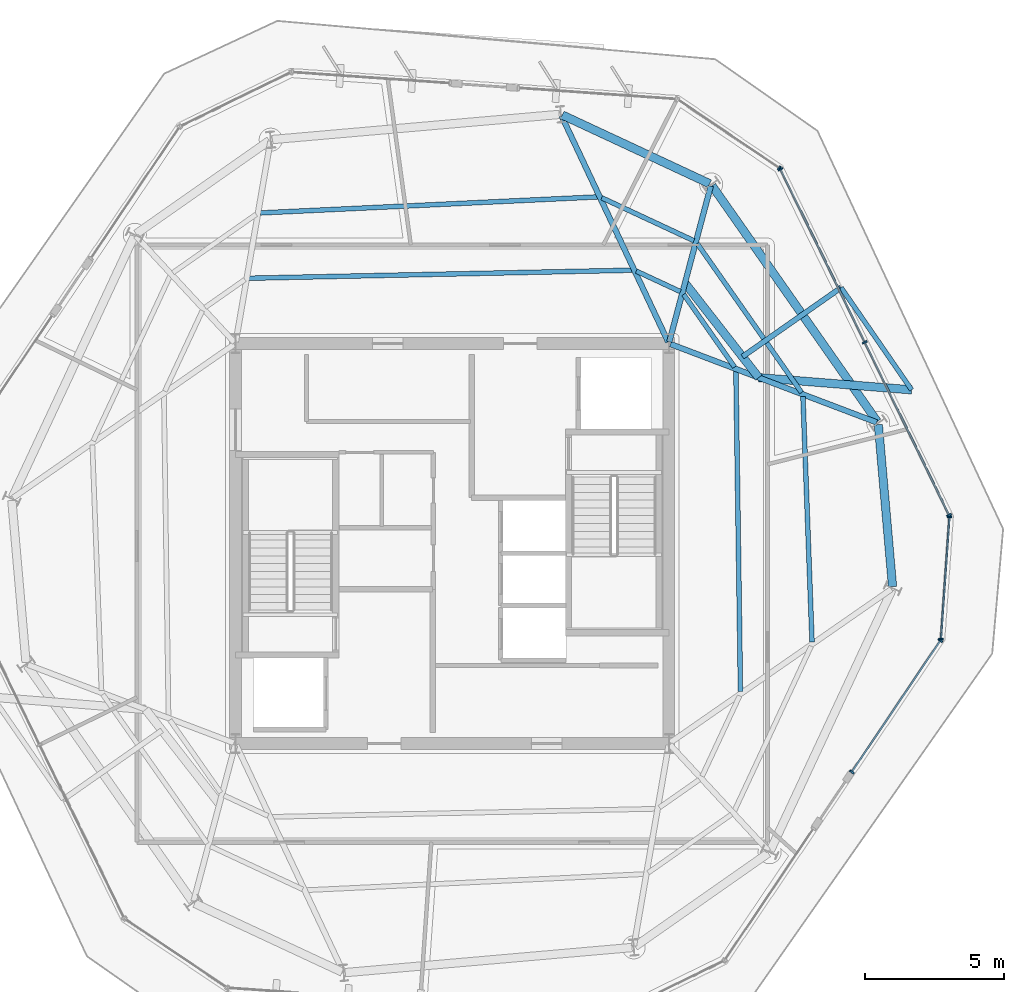
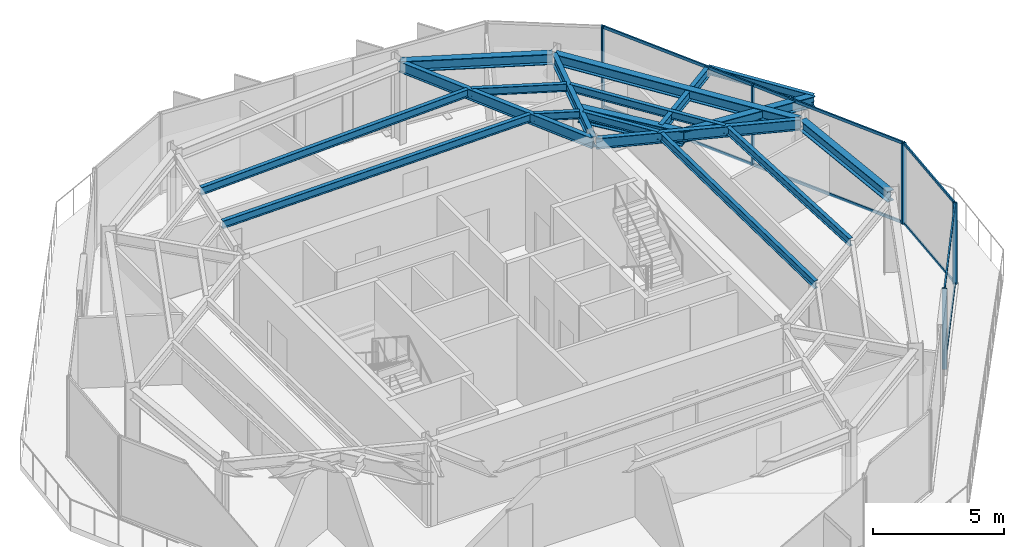
# One storey, part 5 of 12: 18 beams, 16 members, 4 elements without a shape of their own.
"""IFC4 building model written with IfcOpenShell, lengths in metres."""

from ifc_helpers import new_model, si_unit, direction, frame, origin, origin_2d, place, context, subcontext, project, spatial, rectangle, i_section, extrude, material, layer, layer_set, material_profile, profile_set, type_object, element, aggregate, save


model = new_model("IFC4")

# Units and contexts
model_context = context("Model", 3, precision=1e-05, world=origin(), true_north=direction((0.0, 1.0)))
body_context = subcontext(model_context, "Body", "Model", "MODEL_VIEW")
ifc_project = project(units=[si_unit("LENGTHUNIT", "METRE"), si_unit("AREAUNIT", "SQUARE_METRE"), si_unit("VOLUMEUNIT", "CUBIC_METRE"), si_unit("PLANEANGLEUNIT", "RADIAN"), si_unit("MASSUNIT", "GRAM", prefix="KILO")], contexts=[model_context])

# Site, building, storey
site_placement = place(None, origin())
site = spatial("IfcSite", under=ifc_project, at=site_placement, CompositionType="ELEMENT")
building_placement = place(site_placement, origin())
building = spatial("IfcBuilding", under=site, at=building_placement, Name="Kranzbogen Civic Tower", CompositionType="ELEMENT")
storey_placement = place(building_placement, frame((0.0, 0.0, 250.199951171875)))
storey = spatial("IfcBuildingStorey", under=building, at=storey_placement, Name="L60", CompositionType="ELEMENT", Elevation=250.199951171875)

# Beam
ifc_material_1 = material(Name="Steel S355", Category="steel")
ifc_material_profile_1 = material_profile(ifc_material_1, i_section(OverallWidth=0.18994140625, OverallDepth=0.449951171875, WebThickness=0.009521484375, FlangeThickness=0.0146484375, at=origin_2d()), Name="IPE 450")
ifc_profile_set_1 = profile_set([ifc_material_profile_1], Name="Steel S355")
beam_type_1 = type_object("IfcBeamType", Name="Braced Terrace Edge Beam IPE 450", PredefinedType="BEAM", material=ifc_profile_set_1)
beam_1_placement = place(storey_placement, frame((35.447021484375, 31.72412109375, 3.525146484375), z_axis=(0.819112846039, 0.573632413183, 0.0), x_axis=(-0.573632413183, 0.819112846039, 0.0)))
element("IfcBeam", 1, at=beam_1_placement, inside=storey, type_object=beam_type_1, Name="L61 back-spanned terrace beam L61-TB2-2", PredefinedType="BEAM", context=body_context, shape_type="SweptSolid", body=[
    extrude(i_section(OverallWidth=0.18994140625, OverallDepth=0.449951171875, WebThickness=0.009521484375, FlangeThickness=0.0146484375, at=origin_2d()), origin(), (0.0, 0.0, 1.0), 4.335205078125),
])

# Curtain wall, members
ifc_material_2 = material(Name="Pale Anodised Aluminium", Category="aluminium")
ifc_layer_1 = layer(ifc_material_2, 0.219970703125, Name="Pale Anodised Aluminium")
ifc_layer_set_1 = layer_set([ifc_layer_1], Name="Pale Anodised Aluminium")
curtain_wall_type_1 = type_object("IfcCurtainWallType", Name="Chamfer Facet Stick Curtain Wall System CW-06", PredefinedType="USERDEFINED", material=ifc_layer_set_1)
curtain_wall_1_placement = place(storey_placement, origin())
curtain_wall_1 = element("IfcCurtainWall", 2, at=curtain_wall_1_placement, inside=storey, type_object=curtain_wall_type_1, Name="L60 curtain wall CW-L60-C5", ObjectType="STICK CURTAIN WALL", PredefinedType="USERDEFINED")
ifc_material_profile_2 = material_profile(ifc_material_2, rectangle(XDim=0.06005859375, YDim=0.159912109375, at=origin_2d()), Name="ALU-M 60x160")
ifc_profile_set_2 = profile_set([ifc_material_profile_2], Name="Pale Anodised Aluminium")
member_type_1 = type_object("IfcMemberType", Name="Curtain Wall Mullion ALU-M 60x160", PredefinedType="MULLION", material=ifc_profile_set_2)
member_1_placement = place(storey_placement, frame((42.591064453125, 21.56201171875, 0.0), z_axis=(0.0, 0.0, 1.0), x_axis=(0.069655280364, 0.997571121233, 0.0)))
member_1 = element("IfcMember", 3, at=member_1_placement, type_object=member_type_1, Name="CW-06 mullion 1", PredefinedType="MULLION", context=body_context, shape_type="SweptSolid", body=[
    extrude(rectangle(XDim=0.06005859375, YDim=0.159912109375, at=origin_2d()), origin(), (0.0, 0.0, 1.0), 3.780029296875),
])
member_2_placement = place(storey_placement, frame((42.89794921875, 25.9560546875, 0.0), z_axis=(0.0, 0.0, 1.0), x_axis=(0.069655280364, 0.997571121233, 0.0)))
member_2 = element("IfcMember", 4, at=member_2_placement, type_object=member_type_1, Name="CW-06 mullion 2", PredefinedType="MULLION", context=body_context, shape_type="SweptSolid", body=[
    extrude(rectangle(XDim=0.06005859375, YDim=0.159912109375, at=origin_2d()), origin(), (0.0, 0.0, 1.0), 3.780029296875),
])

# Curtain wall, member
curtain_wall_2_placement = place(storey_placement, origin())
curtain_wall_2 = element("IfcCurtainWall", 5, at=curtain_wall_2_placement, inside=storey, type_object=curtain_wall_type_1, Name="L60 curtain wall CW-L60-C6", ObjectType="STICK CURTAIN WALL", PredefinedType="USERDEFINED")
member_3_placement = place(storey_placement, frame((36.773193359375, 38.515869140625, 0.0), z_axis=(0.0, 0.0, 1.0), x_axis=(-0.829144558925, 0.559034256915, 0.0)))
member_3 = element("IfcMember", 6, at=member_3_placement, type_object=member_type_1, Name="CW-06 mullion 1", PredefinedType="MULLION", context=body_context, shape_type="SweptSolid", body=[
    extrude(rectangle(XDim=0.06005859375, YDim=0.159912109375, at=origin_2d()), origin(), (0.0, 0.0, 1.0), 3.780029296875),
])
aggregate(curtain_wall_2, [member_3])

# Curtain wall, members
ifc_layer_2 = layer(ifc_material_2, 0.219970703125, Name="Pale Anodised Aluminium")
ifc_layer_set_2 = layer_set([ifc_layer_2], Name="Pale Anodised Aluminium")
curtain_wall_type_2 = type_object("IfcCurtainWallType", Name="Zone 4 Stick Curtain Wall System CW-05", PredefinedType="USERDEFINED", material=ifc_layer_set_2)
curtain_wall_3_placement = place(storey_placement, origin())
curtain_wall_3 = element("IfcCurtainWall", 7, at=curtain_wall_3_placement, inside=storey, type_object=curtain_wall_type_2, Name="L60 curtain wall CW-L60-F5-S2", ObjectType="STICK CURTAIN WALL", PredefinedType="USERDEFINED")
ifc_material_profile_3 = material_profile(ifc_material_2, rectangle(XDim=0.06494140625, YDim=0.179931640625, at=origin_2d()), Name="ALU-M 65x180")
ifc_profile_set_3 = profile_set([ifc_material_profile_3], Name="Pale Anodised Aluminium")
member_type_2 = type_object("IfcMemberType", Name="Curtain Wall Mullion ALU-M 65x180", PredefinedType="MULLION", material=ifc_profile_set_3)
member_4_placement = place(storey_placement, frame((39.3837890625, 16.78076171875, 0.0), z_axis=(0.0, 0.0, 1.0), x_axis=(0.559258196655, 0.828993528005, 0.0)))
member_4 = element("IfcMember", 8, at=member_4_placement, type_object=member_type_2, Name="CW-05 mullion 1", PredefinedType="MULLION", context=body_context, shape_type="SweptSolid", body=[
    extrude(rectangle(XDim=0.06494140625, YDim=0.179931640625, at=origin_2d()), origin(), (0.0, 0.0, 1.0), 3.780029296875),
])
member_5_placement = place(storey_placement, frame((42.572265625, 21.507080078125, 0.0), z_axis=(0.0, 0.0, 1.0), x_axis=(0.559258196655, 0.828993528005, 0.0)))
member_5 = element("IfcMember", 9, at=member_5_placement, type_object=member_type_2, Name="CW-05 mullion 2", PredefinedType="MULLION", context=body_context, shape_type="SweptSolid", body=[
    extrude(rectangle(XDim=0.06494140625, YDim=0.179931640625, at=origin_2d()), origin(), (0.0, 0.0, 1.0), 3.780029296875),
])

curtain_wall_4_placement = place(storey_placement, origin())
curtain_wall_4 = element("IfcCurtainWall", 10, at=curtain_wall_4_placement, inside=storey, type_object=curtain_wall_type_2, Name="L60 curtain wall CW-L60-F6", ObjectType="STICK CURTAIN WALL", PredefinedType="USERDEFINED")
member_6_placement = place(storey_placement, frame((42.886962890625, 26.012939453125, 0.0), z_axis=(0.0, 0.0, 1.0), x_axis=(-0.438313241506, 0.898822286284, 0.0)))
member_6 = element("IfcMember", 11, at=member_6_placement, type_object=member_type_2, Name="CW-05 mullion 1", PredefinedType="MULLION", context=body_context, shape_type="SweptSolid", body=[
    extrude(rectangle(XDim=0.06494140625, YDim=0.179931640625, at=origin_2d()), origin(), (0.0, 0.0, 1.0), 3.780029296875),
])
member_7_placement = place(storey_placement, frame((39.84912109375, 32.242431640625, 0.0), z_axis=(0.0, 0.0, 1.0), x_axis=(-0.438313241506, 0.898822286284, 0.0)))
member_7 = element("IfcMember", 12, at=member_7_placement, type_object=member_type_2, Name="CW-05 mullion 2", PredefinedType="MULLION", context=body_context, shape_type="SweptSolid", body=[
    extrude(rectangle(XDim=0.06494140625, YDim=0.179931640625, at=origin_2d()), origin(), (0.0, 0.0, 1.0), 3.780029296875),
])
member_8_placement = place(storey_placement, frame((36.81103515625, 38.471923828125, 0.0), z_axis=(0.0, 0.0, 1.0), x_axis=(-0.438313241506, 0.898822286284, 0.0)))
member_8 = element("IfcMember", 13, at=member_8_placement, type_object=member_type_2, Name="CW-05 mullion 3", PredefinedType="MULLION", context=body_context, shape_type="SweptSolid", body=[
    extrude(rectangle(XDim=0.06494140625, YDim=0.179931640625, at=origin_2d()), origin(), (0.0, 0.0, 1.0), 3.780029296875),
])

# Member
ifc_material_profile_4 = material_profile(ifc_material_2, rectangle(XDim=0.06005859375, YDim=0.1201171875, at=origin_2d()), Name="ALU-T 60x120")
ifc_profile_set_4 = profile_set([ifc_material_profile_4], Name="Pale Anodised Aluminium")
member_type_3 = type_object("IfcMemberType", Name="Curtain Wall Transom ALU-T 60x120", PredefinedType="USERDEFINED", material=ifc_profile_set_4)
member_9_placement = place(storey_placement, frame((42.59326171875, 21.591796875, 0.030029296875), z_axis=(0.06962167105, 0.99757346743, 0.0), x_axis=(-0.99757346743, 0.06962167105, 0.0)))
member_9 = element("IfcMember", 14, at=member_9_placement, type_object=member_type_3, Name="CW-06 transom 1.1", ObjectType="TRANSOM", PredefinedType="USERDEFINED", context=body_context, shape_type="SweptSolid", body=[
    extrude(rectangle(XDim=0.06005859375, YDim=0.1201171875, at=origin_2d()), origin(), (0.0, 0.0, 1.0), 4.3447265625),
])

member_10_placement = place(storey_placement, frame((42.59326171875, 21.591796875, 3.75), z_axis=(0.06962167105, 0.99757346743, 0.0), x_axis=(-0.99757346743, 0.06962167105, 0.0)))
member_10 = element("IfcMember", 15, at=member_10_placement, type_object=member_type_3, Name="CW-06 transom 1.2", ObjectType="TRANSOM", PredefinedType="USERDEFINED", context=body_context, shape_type="SweptSolid", body=[
    extrude(rectangle(XDim=0.06005859375, YDim=0.1201171875, at=origin_2d()), origin(), (0.0, 0.0, 1.0), 4.3447265625),
])

aggregate(curtain_wall_1, [member_1, member_2, member_9, member_10])

ifc_material_profile_5 = material_profile(ifc_material_2, rectangle(XDim=0.06494140625, YDim=0.135009765625, at=origin_2d()), Name="ALU-T 65x135")
ifc_profile_set_5 = profile_set([ifc_material_profile_5], Name="Pale Anodised Aluminium")
member_type_4 = type_object("IfcMemberType", Name="Curtain Wall Transom ALU-T 65x135", PredefinedType="USERDEFINED", material=ifc_profile_set_5)
member_11_placement = place(storey_placement, frame((39.400634765625, 16.8056640625, 0.030029296875), z_axis=(0.559246127772, 0.829001669825, 0.0), x_axis=(-0.829001669825, 0.559246127772, 0.0)))
member_11 = element("IfcMember", 16, at=member_11_placement, type_object=member_type_4, Name="CW-05 transom 1.1", ObjectType="TRANSOM", PredefinedType="USERDEFINED", context=body_context, shape_type="SweptSolid", body=[
    extrude(rectangle(XDim=0.06494140625, YDim=0.135009765625, at=origin_2d()), origin(), (0.0, 0.0, 1.0), 5.64111328125),
])

member_12_placement = place(storey_placement, frame((39.400634765625, 16.8056640625, 3.75), z_axis=(0.559246127772, 0.829001669825, 0.0), x_axis=(-0.829001669825, 0.559246127772, 0.0)))
member_12 = element("IfcMember", 17, at=member_12_placement, type_object=member_type_4, Name="CW-05 transom 1.2", ObjectType="TRANSOM", PredefinedType="USERDEFINED", context=body_context, shape_type="SweptSolid", body=[
    extrude(rectangle(XDim=0.06494140625, YDim=0.135009765625, at=origin_2d()), origin(), (0.0, 0.0, 1.0), 5.64111328125),
])

aggregate(curtain_wall_3, [member_4, member_5, member_11, member_12])

member_13_placement = place(storey_placement, frame((42.873779296875, 26.0400390625, 0.030029296875), z_axis=(-0.438336820516, 0.89881078753, 0.0), x_axis=(-0.89881078753, -0.438336820516, 0.0)))
member_13 = element("IfcMember", 18, at=member_13_placement, type_object=member_type_4, Name="CW-05 transom 1.1", ObjectType="TRANSOM", PredefinedType="USERDEFINED", context=body_context, shape_type="SweptSolid", body=[
    extrude(rectangle(XDim=0.06494140625, YDim=0.135009765625, at=origin_2d()), origin(), (0.0, 0.0, 1.0), 6.870849609375),
])

member_14_placement = place(storey_placement, frame((42.873779296875, 26.0400390625, 3.75), z_axis=(-0.438336820516, 0.89881078753, 0.0), x_axis=(-0.89881078753, -0.438336820516, 0.0)))
member_14 = element("IfcMember", 19, at=member_14_placement, type_object=member_type_4, Name="CW-05 transom 1.2", ObjectType="TRANSOM", PredefinedType="USERDEFINED", context=body_context, shape_type="SweptSolid", body=[
    extrude(rectangle(XDim=0.06494140625, YDim=0.135009765625, at=origin_2d()), origin(), (0.0, 0.0, 1.0), 6.870849609375),
])

member_15_placement = place(storey_placement, frame((39.8359375, 32.26953125, 0.030029296875), z_axis=(-0.438336820516, 0.89881078753, 0.0), x_axis=(-0.89881078753, -0.438336820516, 0.0)))
member_15 = element("IfcMember", 20, at=member_15_placement, type_object=member_type_4, Name="CW-05 transom 2.1", ObjectType="TRANSOM", PredefinedType="USERDEFINED", context=body_context, shape_type="SweptSolid", body=[
    extrude(rectangle(XDim=0.06494140625, YDim=0.135009765625, at=origin_2d()), origin(), (0.0, 0.0, 1.0), 6.870849609375),
])

member_16_placement = place(storey_placement, frame((39.8359375, 32.26953125, 3.75), z_axis=(-0.438336820516, 0.89881078753, 0.0), x_axis=(-0.89881078753, -0.438336820516, 0.0)))
member_16 = element("IfcMember", 21, at=member_16_placement, type_object=member_type_4, Name="CW-05 transom 2.2", ObjectType="TRANSOM", PredefinedType="USERDEFINED", context=body_context, shape_type="SweptSolid", body=[
    extrude(rectangle(XDim=0.06494140625, YDim=0.135009765625, at=origin_2d()), origin(), (0.0, 0.0, 1.0), 6.870849609375),
])

aggregate(curtain_wall_4, [member_6, member_7, member_8, member_13, member_14, member_15, member_16])

# Beams
ifc_material_profile_6 = material_profile(ifc_material_1, i_section(OverallWidth=0.300048828125, OverallDepth=0.5, WebThickness=0.014404296875, FlangeThickness=0.028076171875, at=origin_2d()), Name="HEB 500")
ifc_profile_set_6 = profile_set([ifc_material_profile_6], Name="Steel S355")
beam_type_2 = type_object("IfcBeamType", Name="Perimeter Tube Spandrel Beam HEB 500", PredefinedType="SPANDREL", material=ifc_profile_set_6)
beam_2_placement = place(storey_placement, frame((40.85009765625, 23.449951171875, 3.530029296875), z_axis=(-0.087326362434, 0.99617975608, 0.0), x_axis=(-0.99617975608, -0.087326362434, 0.0)))
element("IfcBeam", 22, at=beam_2_placement, inside=storey, type_object=beam_type_2, Name="L60 perimeter spandrel beam 06", PredefinedType="SPANDREL", context=body_context, shape_type="SweptSolid", body=[
    extrude(i_section(OverallWidth=0.300048828125, OverallDepth=0.5, WebThickness=0.014404296875, FlangeThickness=0.028076171875, at=origin_2d()), origin(), (0.0, 0.0, 1.0), 5.8515625),
])
beam_3_placement = place(storey_placement, frame((40.300048828125, 29.387939453125, 3.530029296875), z_axis=(-0.573577759301, 0.819151117948, 0.0), x_axis=(-0.819151117948, -0.573577759301, 0.0)))
element("IfcBeam", 23, at=beam_3_placement, inside=storey, type_object=beam_type_2, Name="L60 perimeter spandrel beam 07", PredefinedType="SPANDREL", context=body_context, shape_type="SweptSolid", body=[
    extrude(i_section(OverallWidth=0.300048828125, OverallDepth=0.5, WebThickness=0.014404296875, FlangeThickness=0.028076171875, at=origin_2d()), origin(), (0.0, 0.0, 1.0), 10.36328125),
])
beam_4_placement = place(storey_placement, frame((34.26806640625, 37.950927734375, 3.530029296875), z_axis=(-0.906289661556, 0.422657129784, 0.0), x_axis=(-0.422657129784, -0.906289661556, 0.0)))
element("IfcBeam", 24, at=beam_4_placement, inside=storey, type_object=beam_type_2, Name="L60 perimeter spandrel beam 08", PredefinedType="SPANDREL", context=body_context, shape_type="SweptSolid", body=[
    extrude(i_section(OverallWidth=0.300048828125, OverallDepth=0.5, WebThickness=0.014404296875, FlangeThickness=0.028076171875, at=origin_2d()), origin(), (0.0, 0.0, 1.0), 5.853759765625),
])
beam_5_placement = place(storey_placement, frame((36.033935546875, 30.971923828125, 3.5), z_axis=(0.996804299094, -0.079882346653, 0.0), x_axis=(0.079882346653, 0.996804299094, 0.0)))
element("IfcBeam", 25, at=beam_5_placement, inside=storey, type_object=beam_type_2, Name="L61 back-spanned terrace beam L61-TB2-1", PredefinedType="SPANDREL", context=body_context, shape_type="SweptSolid", body=[
    extrude(i_section(OverallWidth=0.300048828125, OverallDepth=0.5, WebThickness=0.014404296875, FlangeThickness=0.028076171875, at=origin_2d()), origin(), (0.0, 0.0, 1.0), 5.51953125),
])
ifc_material_profile_7 = material_profile(ifc_material_1, i_section(OverallWidth=0.300048828125, OverallDepth=0.699951171875, WebThickness=0.01708984375, FlangeThickness=0.031982421875, at=origin_2d()), Name="HEB 700")
ifc_profile_set_7 = profile_set([ifc_material_profile_7], Name="Steel S355")
beam_type_3 = type_object("IfcBeamType", Name="Perimeter Tube Spandrel Beam HEB 700", PredefinedType="SPANDREL", material=ifc_profile_set_7)
beam_6_placement = place(storey_placement, frame((36.033935546875, 30.971923828125, 3.400146484375), z_axis=(-0.615153431403, 0.788407417414, 0.0), x_axis=(-0.788407417414, -0.615153431403, 0.0)))
element("IfcBeam", 26, at=beam_6_placement, inside=storey, type_object=beam_type_3, Name="L61 balcony back-span header girder L61-TB2", PredefinedType="SPANDREL", context=body_context, shape_type="SweptSolid", body=[
    extrude(i_section(OverallWidth=0.300048828125, OverallDepth=0.699951171875, WebThickness=0.01708984375, FlangeThickness=0.031982421875, at=origin_2d()), origin(), (0.0, 0.0, 1.0), 4.317626953125),
])
ifc_material_profile_8 = material_profile(ifc_material_1, i_section(OverallWidth=0.199951171875, OverallDepth=0.5, WebThickness=0.01025390625, FlangeThickness=0.01611328125, at=origin_2d()), Name="IPE 500")
ifc_profile_set_8 = profile_set([ifc_material_profile_8], Name="Steel S355")
beam_type_4 = type_object("IfcBeamType", Name="Radial Tower Floor Girder IPE 500", PredefinedType="BEAM", material=ifc_profile_set_8)
beam_7_placement = place(storey_placement, frame((40.278076171875, 29.360107421875, 3.530029296875), z_axis=(-0.934848709689, 0.355046320913, 0.0), x_axis=(-0.355046320913, -0.934848709689, 0.0)))
element("IfcBeam", 27, at=beam_7_placement, inside=storey, type_object=beam_type_4, Name="L60 radial floor girder 07", PredefinedType="BEAM", context=body_context, shape_type="SweptSolid", body=[
    extrude(i_section(OverallWidth=0.199951171875, OverallDepth=0.5, WebThickness=0.01025390625, FlangeThickness=0.01611328125, at=origin_2d()), origin(), (0.0, 0.0, 1.0), 7.939453125),
])
beam_8_placement = place(storey_placement, frame((34.306884765625, 37.867919921875, 3.530029296875), z_axis=(-0.257016017622, -0.966407143333, 0.0), x_axis=(0.966407143333, -0.257016017622, 0.0)))
element("IfcBeam", 28, at=beam_8_placement, inside=storey, type_object=beam_type_4, Name="L60 radial floor girder 08", PredefinedType="BEAM", context=body_context, shape_type="SweptSolid", body=[
    extrude(i_section(OverallWidth=0.199951171875, OverallDepth=0.5, WebThickness=0.01025390625, FlangeThickness=0.01611328125, at=origin_2d()), origin(), (0.0, 0.0, 1.0), 5.804931640625),
])
beam_9_placement = place(storey_placement, frame((28.93505859375, 40.39599609375, 3.530029296875), z_axis=(0.426460441273, -0.904506214478, 0.0), x_axis=(0.904506214478, 0.426460441273, 0.0)))
element("IfcBeam", 29, at=beam_9_placement, inside=storey, type_object=beam_type_4, Name="L60 radial floor girder 09", PredefinedType="BEAM", context=body_context, shape_type="SweptSolid", body=[
    extrude(i_section(OverallWidth=0.199951171875, OverallDepth=0.5, WebThickness=0.01025390625, FlangeThickness=0.01611328125, at=origin_2d()), origin(), (0.0, 0.0, 1.0), 9.001708984375),
])
ifc_material_profile_9 = material_profile(ifc_material_1, i_section(OverallWidth=0.169921875, OverallDepth=0.360107421875, WebThickness=0.008056640625, FlangeThickness=0.0126953125, at=origin_2d()), Name="IPE 360")
ifc_profile_set_9 = profile_set([ifc_material_profile_9], Name="Steel S355")
beam_type_5 = type_object("IfcBeamType", Name="Secondary Composite Floor Joist IPE 360", PredefinedType="JOIST", material=ifc_profile_set_9)
beam_10_placement = place(storey_placement, frame((37.951904296875, 21.4580078125, 3.60009765625), z_axis=(-0.036992246074, 0.999315552631, 0.0), x_axis=(-0.999315552631, -0.036992246074, 0.0)))
element("IfcBeam", 30, at=beam_10_placement, inside=storey, type_object=beam_type_5, Name="L60 secondary floor joist 1.06", PredefinedType="JOIST", context=body_context, shape_type="SweptSolid", body=[
    extrude(i_section(OverallWidth=0.169921875, OverallDepth=0.360107421875, WebThickness=0.008056640625, FlangeThickness=0.0126953125, at=origin_2d()), origin(), (0.0, 0.0, 1.0), 8.837158203125),
])
beam_11_placement = place(storey_placement, frame((35.3759765625, 19.6689453125, 3.60009765625), z_axis=(-0.014221385906, 0.999898870978, 0.0), x_axis=(-0.999898870978, -0.014221385906, 0.0)))
element("IfcBeam", 31, at=beam_11_placement, inside=storey, type_object=beam_type_5, Name="L60 secondary floor joist 2.06", PredefinedType="JOIST", context=body_context, shape_type="SweptSolid", body=[
    extrude(i_section(OverallWidth=0.169921875, OverallDepth=0.360107421875, WebThickness=0.008056640625, FlangeThickness=0.0126953125, at=origin_2d()), origin(), (0.0, 0.0, 1.0), 11.536376953125),
])
beam_12_placement = place(storey_placement, frame((37.575927734375, 30.43408203125, 3.60009765625), z_axis=(-0.573499872939, 0.819205649235, 0.0), x_axis=(-0.819205649235, -0.573499872939, 0.0)))
element("IfcBeam", 32, at=beam_12_placement, inside=storey, type_object=beam_type_5, Name="L60 secondary floor joist 1.07", PredefinedType="JOIST", context=body_context, shape_type="SweptSolid", body=[
    extrude(i_section(OverallWidth=0.169921875, OverallDepth=0.360107421875, WebThickness=0.008056640625, FlangeThickness=0.0126953125, at=origin_2d()), origin(), (0.0, 0.0, 1.0), 6.549072265625),
])
beam_13_placement = place(storey_placement, frame((35.1650390625, 31.35009765625, 3.60009765625), z_axis=(-0.573498248491, 0.819206786457, 0.0), x_axis=(-0.819206786457, -0.573498248491, 0.0)))
element("IfcBeam", 33, at=beam_13_placement, inside=storey, type_object=beam_type_5, Name="L60 secondary floor joist 2.07", PredefinedType="JOIST", context=body_context, shape_type="SweptSolid", body=[
    extrude(i_section(OverallWidth=0.169921875, OverallDepth=0.360107421875, WebThickness=0.008056640625, FlangeThickness=0.0126953125, at=origin_2d()), origin(), (0.0, 0.0, 1.0), 3.194580078125),
])
beam_14_placement = place(storey_placement, frame((33.701904296875, 35.89794921875, 3.60009765625), z_axis=(-0.906303996948, 0.422626389517, 0.0), x_axis=(-0.422626389517, -0.906303996948, 0.0)))
element("IfcBeam", 34, at=beam_14_placement, inside=storey, type_object=beam_type_5, Name="L60 secondary floor joist 1.08", PredefinedType="JOIST", context=body_context, shape_type="SweptSolid", body=[
    extrude(i_section(OverallWidth=0.169921875, OverallDepth=0.360107421875, WebThickness=0.008056640625, FlangeThickness=0.0126953125, at=origin_2d()), origin(), (0.0, 0.0, 1.0), 3.6630859375),
])
beam_15_placement = place(storey_placement, frame((33.215087890625, 34.06591796875, 3.60009765625), z_axis=(-0.906432174342, 0.422351409751, 0.0), x_axis=(-0.422351409751, -0.906432174342, 0.0)))
element("IfcBeam", 35, at=beam_15_placement, inside=storey, type_object=beam_type_5, Name="L60 secondary floor joist 2.08", PredefinedType="JOIST", context=body_context, shape_type="SweptSolid", body=[
    extrude(i_section(OverallWidth=0.169921875, OverallDepth=0.360107421875, WebThickness=0.008056640625, FlangeThickness=0.0126953125, at=origin_2d()), origin(), (0.0, 0.0, 1.0), 1.751953125),
])
beam_16_placement = place(storey_placement, frame((30.22998046875, 37.47607421875, 3.60009765625), z_axis=(-0.998871634781, -0.047491654324, 0.0), x_axis=(0.047491654324, -0.998871634781, 0.0)))
element("IfcBeam", 36, at=beam_16_placement, inside=storey, type_object=beam_type_5, Name="L60 secondary floor joist 1.09", PredefinedType="JOIST", context=body_context, shape_type="SweptSolid", body=[
    extrude(i_section(OverallWidth=0.169921875, OverallDepth=0.360107421875, WebThickness=0.008056640625, FlangeThickness=0.0126953125, at=origin_2d()), origin(), (0.0, 0.0, 1.0), 12.152587890625),
])
beam_17_placement = place(storey_placement, frame((31.47509765625, 34.837890625, 3.60009765625), z_axis=(-0.999780746893, -0.020939392104, 0.0), x_axis=(0.020939392104, -0.999780746893, 0.0)))
element("IfcBeam", 37, at=beam_17_placement, inside=storey, type_object=beam_type_5, Name="L60 secondary floor joist 2.09", PredefinedType="JOIST", context=body_context, shape_type="SweptSolid", body=[
    extrude(i_section(OverallWidth=0.169921875, OverallDepth=0.360107421875, WebThickness=0.008056640625, FlangeThickness=0.0126953125, at=origin_2d()), origin(), (0.0, 0.0, 1.0), 13.79296875),
])
beam_18_placement = place(storey_placement, frame((41.535888671875, 30.531005859375, 3.570068359375), z_axis=(-0.56772657446, 0.823217186805, 0.0), x_axis=(-0.823217186805, -0.56772657446, 0.0)))
element("IfcBeam", 38, at=beam_18_placement, inside=storey, type_object=beam_type_5, Name="L61 terrace outer edge trimmer L61-TB2", PredefinedType="JOIST", context=body_context, shape_type="SweptSolid", body=[
    extrude(i_section(OverallWidth=0.169921875, OverallDepth=0.360107421875, WebThickness=0.008056640625, FlangeThickness=0.0126953125, at=origin_2d()), origin(), (0.0, 0.0, 1.0), 4.47021484375),
])

save(model, "model.ifc")
